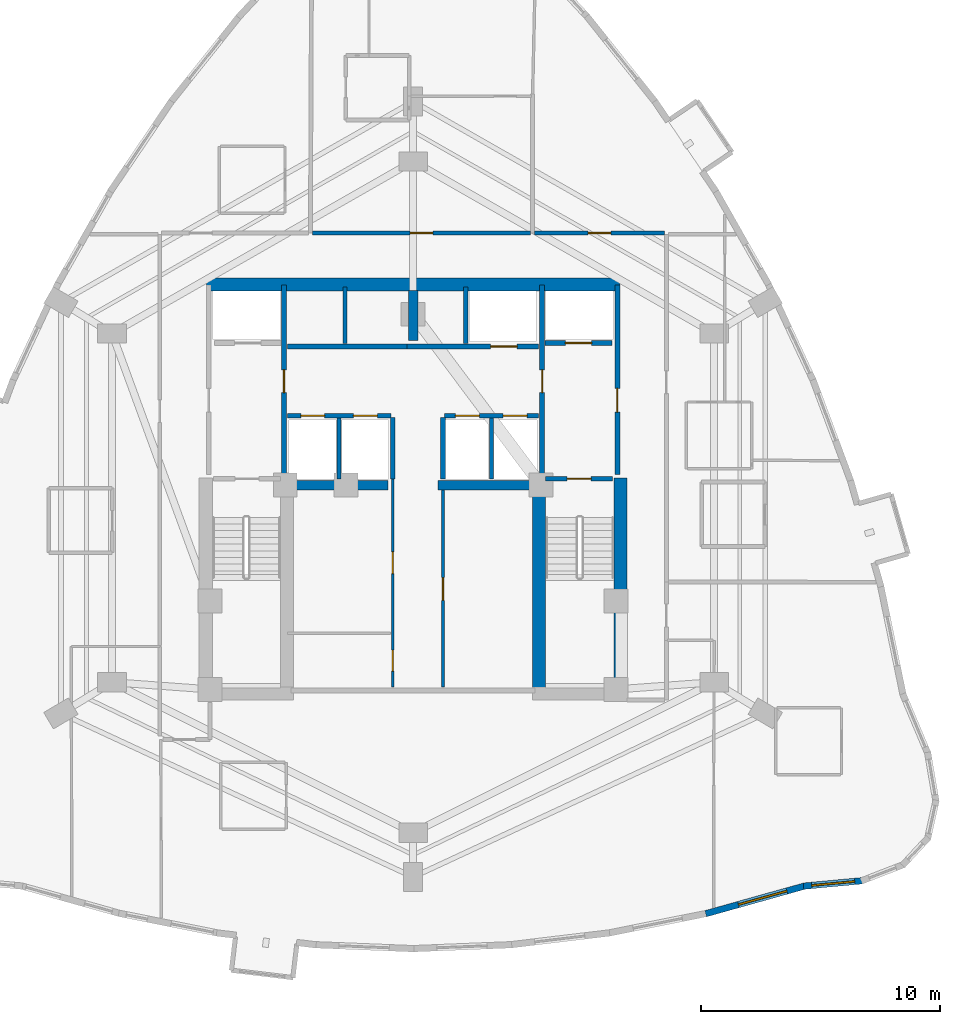
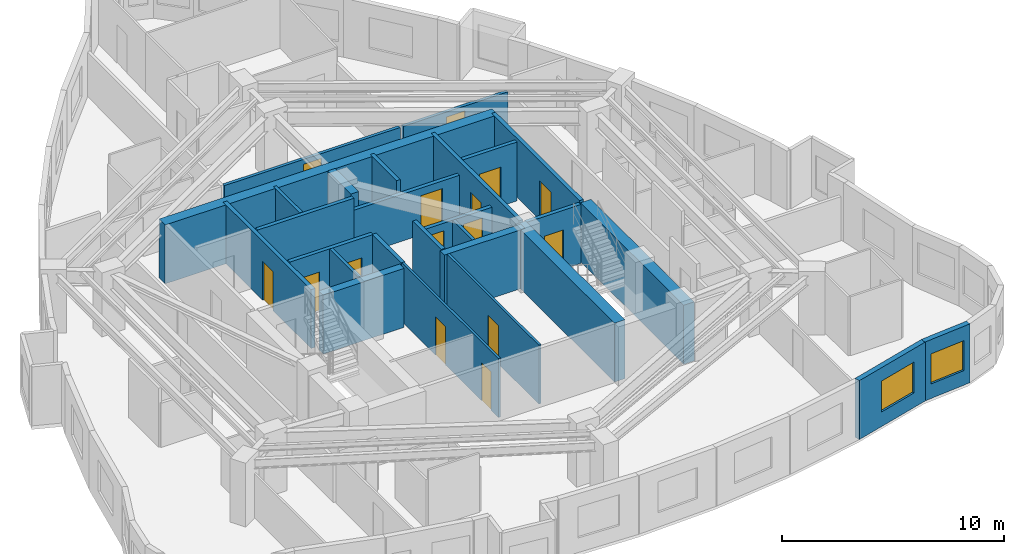
# One storey, part 6 of 10: 27 walls, 15 doors, 2 windows, 17 openings.
"""IFC4 building model written with IfcOpenShell, lengths in metres."""

from ifc_helpers import new_model, si_unit, direction, frame, frame_2d, origin, place, context, subcontext, project, spatial, rectangle, extrude, material, layer, layer_set, type_object, element, fill, save


model = new_model("IFC4")

# Units and contexts
model_context = context("Model", 3, precision=1e-05, world=origin(), true_north=direction((0.0, 1.0)))
body_context = subcontext(model_context, "Body", "Model", "MODEL_VIEW")
ifc_project = project(units=[si_unit("LENGTHUNIT", "METRE"), si_unit("AREAUNIT", "SQUARE_METRE"), si_unit("VOLUMEUNIT", "CUBIC_METRE"), si_unit("PLANEANGLEUNIT", "RADIAN"), si_unit("MASSUNIT", "GRAM", prefix="KILO")], contexts=[model_context])

# Site, building, storey
site_placement = place(None, origin())
site = spatial("IfcSite", under=ifc_project, at=site_placement, CompositionType="ELEMENT")
building_placement = place(site_placement, origin())
building = spatial("IfcBuilding", under=site, at=building_placement, Name="Miruveldt Soraemaru", CompositionType="ELEMENT")
storey_placement = place(building_placement, frame((0.0, 0.0, 124.89990234375)))
storey = spatial("IfcBuildingStorey", under=building, at=storey_placement, Name="L34", CompositionType="ELEMENT", Elevation=124.89990234375)

# Walls
ifc_material_1 = material(Name="Concrete C70/85 (70 MPa)", Category="concrete")
ifc_layer_1 = layer(ifc_material_1, 0.5, Name="Concrete C70/85 (70 MPa)", Category="concrete")
ifc_layer_set_1 = layer_set([ifc_layer_1], Name="Concrete C70/85 (70 MPa)")
wall_type_1 = type_object("IfcWallType", Name="WALL-BW-500", PredefinedType="SHEAR", material=ifc_layer_set_1)
wall_1_placement = place(storey_placement, frame((44.0, 50.10009765625, 0.0), z_axis=(0.0, 0.0, 1.0), x_axis=(0.0, 1.0, 0.0)))
element("IfcWall", 1, at=wall_1_placement, inside=storey, type_object=wall_type_1, Name="L34 Core Buttress Shear Wall BN", PredefinedType="SHEAR", context=body_context, shape_type="SweptSolid", body=[
    extrude(rectangle(XDim=2.099853515625, YDim=0.39990234375, at=frame_2d((1.0498046875, 0.0))), origin(), (0.0, 0.0, 1.0), 3.235107421875),
])
for number, where, z_axis, x_axis, name in (
    (2, (38.75, 44.050048828125, 0.0), (0.0, 0.0, 1.0), (1.0, 0.0, 0.0), "L34 Core Buttress Shear Wall BW"),
    (3, (45.050048828125, 44.050048828125, 0.0), (0.0, 0.0, 1.0), (1.0, 0.0, 0.0), "L34 Core Buttress Shear Wall BE"),
):
    element("IfcWall", number, at=place(storey_placement, frame(where, z_axis=z_axis, x_axis=x_axis)), inside=storey, type_object=wall_type_1, Name=name, PredefinedType="SHEAR", context=body_context, shape_type="SweptSolid", body=[
        extrude(rectangle(XDim=4.199951171875, YDim=0.39990234375, at=frame_2d((2.10009765625, 0.0))), origin(), (0.0, 0.0, 1.0), 3.235107421875),
    ])
ifc_layer_2 = layer(ifc_material_1, 0.550048828125, Name="Concrete C70/85 (70 MPa)", Category="concrete")
ifc_layer_set_2 = layer_set([ifc_layer_2], Name="Concrete C70/85 (70 MPa)")
wall_type_2 = type_object("IfcWallType", Name="WALL-CW-550", PredefinedType="SHEAR", material=ifc_layer_set_2)
wall_2_placement = place(storey_placement, frame((35.35009765625, 52.449951171875, 0.0), z_axis=(0.0, 0.0, 1.0), x_axis=(1.0, 0.0, 0.0)))
element("IfcWall", 4, at=wall_2_placement, inside=storey, type_object=wall_type_2, Name="L34 Central Core Shear Wall N", PredefinedType="SHEAR", context=body_context, shape_type="SweptSolid", body=[
    extrude(rectangle(XDim=17.2998046875, YDim=0.550048828125, at=frame_2d((8.64990234375, 0.0))), origin(), (0.0, 0.0, 1.0), 3.235107421875),
])
wall_3_placement = place(storey_placement, frame((52.675048828125, 35.050048828125, 0.0), z_axis=(0.0, 0.0, 1.0), x_axis=(0.0, 1.0, 0.0)))
element("IfcWall", 5, at=wall_3_placement, inside=storey, type_object=wall_type_2, Name="L34 Central Core Shear Wall E1", PredefinedType="SHEAR", context=body_context, shape_type="SweptSolid", body=[
    extrude(rectangle(XDim=9.300048828125, YDim=0.550048828125, at=frame_2d((4.64990234375, 0.0))), origin(), (0.0, 0.0, 1.0), 3.235107421875),
])
wall_4_placement = place(storey_placement, frame((49.27490234375, 35.39990234375, 0.0), z_axis=(0.0, 0.0, 1.0), x_axis=(0.0, 1.0, 0.0)))
element("IfcWall", 6, at=wall_4_placement, inside=storey, type_object=wall_type_2, Name="L34 Central Core Shear Wall SE-INT", PredefinedType="SHEAR", context=body_context, shape_type="SweptSolid", body=[
    extrude(rectangle(XDim=8.9501953125, YDim=0.550048828125, at=frame_2d((4.47509765625, 0.0))), origin(), (0.0, 0.0, 1.0), 3.235107421875),
])

# Wall, opening, window
ifc_material_2 = material(Name="Precast concrete C45/55 (45 MPa)", Category="concrete")
ifc_layer_3 = layer(ifc_material_2, 0.27001953125, Name="Precast concrete C45/55 (45 MPa)", Category="concrete")
ifc_layer_set_3 = layer_set([ifc_layer_3], Name="Precast concrete C45/55 (45 MPa)")
wall_type_3 = type_object("IfcWallType", Name="WALL-EXT-PC270", PredefinedType="SOLIDWALL", material=ifc_layer_set_3)
wall_5_placement = place(storey_placement, frame((56.248291015625, 26.11083984375, 0.0), z_axis=(0.0, 0.0, 1.0), x_axis=(0.96297692647, 0.269583825714, 0.0)))
wall_5 = element("IfcWall", 7, at=wall_5_placement, inside=storey, type_object=wall_type_3, Name="L34 Precast Concrete Facade Wall 28", PredefinedType="SOLIDWALL", context=body_context, shape_type="SweptSolid", body=[
    extrude(rectangle(XDim=4.321533203125, YDim=0.27001953125, at=frame_2d((2.16064453125, 0.0))), origin(), (0.0, 0.0, 1.0), 3.235107421875),
])
opening_1_placement = place(wall_5_placement, frame((1.423095703125, 0.0, 0.800048828125)))
opening_1 = element("IfcOpeningElement", 8, at=opening_1_placement, cuts=wall_5, Name="Opening WN-1", PredefinedType="OPENING", context=body_context, shape_type="SweptSolid", body=[
    extrude(rectangle(XDim=2.10009765625, YDim=1.699951171875, at=frame_2d((1.050048828125, 0.85009765625))), frame((0.0, 0.14501953125, 0.0), z_axis=(0.0, -1.0, 0.0), x_axis=(1.0, 0.0, 0.0)), (0.0, 0.0, 1.0), 0.2900390625),
])
ifc_material_3 = material(Name="Triple low-e insulated glazing", Category="glass")
window_type_1 = type_object("IfcWindowType", Name="WIN-PUNCH-2100x1700", PartitioningType="SINGLE_PANEL", PredefinedType="WINDOW", material=ifc_material_3)
window_1_placement = place(opening_1_placement, origin())
window_1 = element("IfcWindow", 9, at=window_1_placement, inside=storey, type_object=window_type_1, Name="L34 Punched Triple-Glazed Window 28.1", OverallHeight=1.699951171875, OverallWidth=2.10009765625, PartitioningType="SINGLE_PANEL", PredefinedType="WINDOW", context=body_context, shape_type="SweptSolid", body=[
    extrude(rectangle(XDim=2.10009765625, YDim=1.699951171875, at=frame_2d((1.050048828125, 0.85009765625))), frame((0.0, 0.030029296875, 0.0), z_axis=(0.0, -1.0, 0.0), x_axis=(1.0, 0.0, 0.0)), (0.0, 0.0, 1.0), 0.06005859375),
])
fill(opening_1, window_1)

wall_6_placement = place(storey_placement, frame((60.34130859375, 27.26318359375, 0.0), z_axis=(0.0, 0.0, 1.0), x_axis=(0.995755492047, 0.092038035932, 0.0)))
wall_6 = element("IfcWall", 10, at=wall_6_placement, inside=storey, type_object=wall_type_3, Name="L34 Precast Concrete Facade Wall 29", PredefinedType="SOLIDWALL", context=body_context, shape_type="SweptSolid", body=[
    extrude(rectangle(XDim=2.49072265625, YDim=0.27001953125, at=frame_2d((1.245361328125, 0.0))), origin(), (0.0, 0.0, 1.0), 3.235107421875),
])
opening_2_placement = place(wall_6_placement, frame((0.345947265625, 0.0, 0.800048828125)))
opening_2 = element("IfcOpeningElement", 11, at=opening_2_placement, cuts=wall_6, Name="Opening WN-2", PredefinedType="OPENING", context=body_context, shape_type="SweptSolid", body=[
    extrude(rectangle(XDim=1.800048828125, YDim=1.64990234375, at=frame_2d((0.89990234375, 0.824951171875))), frame((0.0, 0.14501953125, 0.0), z_axis=(0.0, -1.0, 0.0), x_axis=(1.0, 0.0, 0.0)), (0.0, 0.0, 1.0), 0.2900390625),
])
window_type_2 = type_object("IfcWindowType", Name="WIN-PUNCH-1800x1650", PartitioningType="SINGLE_PANEL", PredefinedType="WINDOW", material=ifc_material_3)
window_2_placement = place(opening_2_placement, origin())
window_2 = element("IfcWindow", 12, at=window_2_placement, inside=storey, type_object=window_type_2, Name="L34 Punched Triple-Glazed Window 29.1", OverallHeight=1.64990234375, OverallWidth=1.800048828125, PartitioningType="SINGLE_PANEL", PredefinedType="WINDOW", context=body_context, shape_type="SweptSolid", body=[
    extrude(rectangle(XDim=1.800048828125, YDim=1.64990234375, at=frame_2d((0.89990234375, 0.824951171875))), frame((0.0, 0.030029296875, 0.0), z_axis=(0.0, -1.0, 0.0), x_axis=(1.0, 0.0, 0.0)), (0.0, 0.0, 1.0), 0.06005859375),
])
fill(opening_2, window_2)

# Wall, openings, doors
ifc_material_4 = material(Name="Gypsum plasterboard lining", Category="gypsum")
ifc_layer_4 = layer(ifc_material_4, 0.1201171875, Name="Gypsum plasterboard lining", Category="gypsum")
ifc_layer_set_4 = layer_set([ifc_layer_4], Name="Gypsum plasterboard lining")
wall_type_4 = type_object("IfcWallType", Name="WALL-INT-P120", PredefinedType="PARTITIONING", material=ifc_layer_set_4)
wall_7_placement = place(storey_placement, frame((43.14990234375, 35.60009765625, 0.0), z_axis=(0.0, 0.0, 1.0), x_axis=(0.0, 1.0, 0.0)))
wall_7 = element("IfcWall", 13, at=wall_7_placement, inside=storey, type_object=wall_type_4, Name="L34 Core Compartment Wall SP-WL", PredefinedType="PARTITIONING", context=body_context, shape_type="SweptSolid", body=[
    extrude(rectangle(XDim=8.699951171875, YDim=0.1201171875, at=frame_2d((4.35009765625, 0.0))), origin(), (0.0, 0.0, 1.0), 3.235107421875),
])
opening_3_placement = place(wall_7_placement, frame((0.659912109375, 0.0, 0.0)))
opening_3 = element("IfcOpeningElement", 14, at=opening_3_placement, cuts=wall_7, Name="Opening D4", PredefinedType="OPENING", context=body_context, shape_type="SweptSolid", body=[
    extrude(rectangle(XDim=0.8798828125, YDim=2.10009765625, at=frame_2d((0.43994140625, 1.050048828125))), frame((0.0, 0.070068359375, 0.0), z_axis=(0.0, -1.0, 0.0), x_axis=(1.0, 0.0, 0.0)), (0.0, 0.0, 1.0), 0.14013671875),
])
opening_4_placement = place(wall_7_placement, frame((4.739990234375, 0.0, 0.0)))
opening_4 = element("IfcOpeningElement", 15, at=opening_4_placement, cuts=wall_7, Name="Opening D3A", PredefinedType="OPENING", context=body_context, shape_type="SweptSolid", body=[
    extrude(rectangle(XDim=0.919921875, YDim=2.10009765625, at=frame_2d((0.4599609375, 1.050048828125))), frame((0.0, 0.070068359375, 0.0), z_axis=(0.0, -1.0, 0.0), x_axis=(1.0, 0.0, 0.0)), (0.0, 0.0, 1.0), 0.14013671875),
])
ifc_material_5 = material(Name="Anodised aluminium EN AW-6063 T6", Category="aluminium")
door_type_1 = type_object("IfcDoorType", Name="DOOR-INT-880", OperationType="NOTDEFINED", PredefinedType="DOOR", material=ifc_material_5)
door_1_placement = place(opening_3_placement, origin())
door_1 = element("IfcDoor", 16, at=door_1_placement, inside=storey, type_object=door_type_1, Name="L34 Fire Door", OperationType="SINGLE_SWING_LEFT", OverallHeight=2.10009765625, OverallWidth=0.8798828125, PredefinedType="DOOR", context=body_context, shape_type="SweptSolid", body=[
    extrude(rectangle(XDim=0.8798828125, YDim=2.10009765625, at=frame_2d((0.43994140625, 1.050048828125))), frame((0.0, 0.02490234375, 0.0), z_axis=(0.0, -1.0, 0.0), x_axis=(1.0, 0.0, 0.0)), (0.0, 0.0, 1.0), 0.050048828125),
])
fill(opening_3, door_1)
door_type_2 = type_object("IfcDoorType", Name="DOOR-INT-920", OperationType="NOTDEFINED", PredefinedType="DOOR", material=ifc_material_5)
door_2_placement = place(opening_4_placement, origin())
door_2 = element("IfcDoor", 17, at=door_2_placement, inside=storey, type_object=door_type_2, Name="L34 Fire Door", OperationType="SINGLE_SWING_LEFT", OverallHeight=2.10009765625, OverallWidth=0.919921875, PredefinedType="DOOR", context=body_context, shape_type="SweptSolid", body=[
    extrude(rectangle(XDim=0.919921875, YDim=2.10009765625, at=frame_2d((0.4599609375, 1.050048828125))), frame((0.0, 0.02490234375, 0.0), z_axis=(0.0, -1.0, 0.0), x_axis=(1.0, 0.0, 0.0)), (0.0, 0.0, 1.0), 0.050048828125),
])
fill(opening_4, door_2)

# Wall, opening, door
wall_8_placement = place(storey_placement, frame((45.25, 35.60009765625, 0.0), z_axis=(0.0, 0.0, 1.0), x_axis=(0.0, 1.0, 0.0)))
wall_8 = element("IfcWall", 18, at=wall_8_placement, inside=storey, type_object=wall_type_4, Name="L34 Core Compartment Wall SP-EL", PredefinedType="PARTITIONING", context=body_context, shape_type="SweptSolid", body=[
    extrude(rectangle(XDim=8.25, YDim=0.1201171875, at=frame_2d((4.125, 0.0))), origin(), (0.0, 0.0, 1.0), 3.235107421875),
])
opening_5_placement = place(wall_8_placement, frame((3.625, 0.0, 0.0)))
opening_5 = element("IfcOpeningElement", 19, at=opening_5_placement, cuts=wall_8, Name="Opening D2", PredefinedType="OPENING", context=body_context, shape_type="SweptSolid", body=[
    extrude(rectangle(XDim=0.949951171875, YDim=2.10009765625, at=frame_2d((0.47509765625, 1.050048828125))), frame((0.0, 0.070068359375, 0.0), z_axis=(0.0, -1.0, 0.0), x_axis=(1.0, 0.0, 0.0)), (0.0, 0.0, 1.0), 0.14013671875),
])
door_type_3 = type_object("IfcDoorType", Name="DOOR-INT-950", OperationType="NOTDEFINED", PredefinedType="DOOR", material=ifc_material_5)
door_3_placement = place(opening_5_placement, origin())
door_3 = element("IfcDoor", 20, at=door_3_placement, inside=storey, type_object=door_type_3, Name="L34 Fire Door", OperationType="SINGLE_SWING_LEFT", OverallHeight=2.10009765625, OverallWidth=0.949951171875, PredefinedType="DOOR", context=body_context, shape_type="SweptSolid", body=[
    extrude(rectangle(XDim=0.949951171875, YDim=2.10009765625, at=frame_2d((0.47509765625, 1.050048828125))), frame((0.0, 0.02490234375, 0.0), z_axis=(0.0, -1.0, 0.0), x_axis=(1.0, 0.0, 0.0)), (0.0, 0.0, 1.0), 0.050048828125),
])
fill(opening_5, door_3)

ifc_material_6 = material(Name="Concrete C40/50 (40 MPa)", Category="concrete")
ifc_layer_5 = layer(ifc_material_6, 0.159912109375, Name="Concrete C40/50 (40 MPa)", Category="concrete")
ifc_layer_set_5 = layer_set([ifc_layer_5], Name="Concrete C40/50 (40 MPa)")
wall_type_5 = type_object("IfcWallType", Name="WALL-INT-RC160", PredefinedType="SOLIDWALL", material=ifc_layer_set_5)
wall_9_placement = place(storey_placement, frame((48.9169921875, 54.60009765625, 0.0), z_axis=(0.0, 0.0, 1.0), x_axis=(-1.0, 0.0, 0.0)))
wall_9 = element("IfcWall", 21, at=wall_9_placement, inside=storey, type_object=wall_type_5, Name="L34 Partition Wall 2", PredefinedType="SOLIDWALL", context=body_context, shape_type="SweptSolid", body=[
    extrude(rectangle(XDim=9.131103515625, YDim=0.159912109375, at=frame_2d((4.5654296875, 0.0))), origin(), (0.0, 0.0, 1.0), 2.423095703125),
])
opening_6_placement = place(wall_9_placement, frame((4.091064453125, 0.0, 0.0)))
opening_6 = element("IfcOpeningElement", 22, at=opening_6_placement, cuts=wall_9, Name="Opening FD2", PredefinedType="OPENING", context=body_context, shape_type="SweptSolid", body=[
    extrude(rectangle(XDim=0.949951171875, YDim=2.14990234375, at=frame_2d((0.47509765625, 1.074951171875))), frame((0.0, 0.08984375, 0.0), z_axis=(0.0, -1.0, 0.0), x_axis=(1.0, 0.0, 0.0)), (0.0, 0.0, 1.0), 0.179931640625),
])
door_type_4 = type_object("IfcDoorType", Name="DOOR-FD2-950", OperationType="NOTDEFINED", PredefinedType="DOOR", material=ifc_material_5)
door_4_placement = place(opening_6_placement, origin())
door_4 = element("IfcDoor", 23, at=door_4_placement, inside=storey, type_object=door_type_4, Name="L34 Unit 3402 Entrance Fire Door", OperationType="SINGLE_SWING_RIGHT", OverallHeight=2.14990234375, OverallWidth=0.949951171875, PredefinedType="DOOR", context=body_context, shape_type="SweptSolid", body=[
    extrude(rectangle(XDim=0.949951171875, YDim=2.14990234375, at=frame_2d((0.47509765625, 1.074951171875))), frame((0.0, 0.02490234375, 0.0), z_axis=(0.0, -1.0, 0.0), x_axis=(1.0, 0.0, 0.0)), (0.0, 0.0, 1.0), 0.050048828125),
])
fill(opening_6, door_4)

wall_10_placement = place(storey_placement, frame((54.52001953125, 54.60009765625, 0.0), z_axis=(0.0, 0.0, 1.0), x_axis=(-1.0, 0.0, 0.0)))
wall_10 = element("IfcWall", 24, at=wall_10_placement, inside=storey, type_object=wall_type_5, Name="L34 Partition Wall 3", PredefinedType="SOLIDWALL", context=body_context, shape_type="SweptSolid", body=[
    extrude(rectangle(XDim=5.43994140625, YDim=0.159912109375, at=frame_2d((2.719970703125, 0.0))), origin(), (0.0, 0.0, 1.0), 2.423095703125),
])
opening_7_placement = place(wall_10_placement, frame((2.2451171875, 0.0, 0.0)))
opening_7 = element("IfcOpeningElement", 25, at=opening_7_placement, cuts=wall_10, Name="Opening FD2", PredefinedType="OPENING", context=body_context, shape_type="SweptSolid", body=[
    extrude(rectangle(XDim=0.949951171875, YDim=2.14990234375, at=frame_2d((0.47509765625, 1.074951171875))), frame((0.0, 0.08984375, 0.0), z_axis=(0.0, -1.0, 0.0), x_axis=(1.0, 0.0, 0.0)), (0.0, 0.0, 1.0), 0.179931640625),
])
door_5_placement = place(opening_7_placement, origin())
door_5 = element("IfcDoor", 26, at=door_5_placement, inside=storey, type_object=door_type_4, Name="L34 Unit CL03 Entrance Fire Door", OperationType="SINGLE_SWING_RIGHT", OverallHeight=2.14990234375, OverallWidth=0.949951171875, PredefinedType="DOOR", context=body_context, shape_type="SweptSolid", body=[
    extrude(rectangle(XDim=0.949951171875, YDim=2.14990234375, at=frame_2d((0.47509765625, 1.074951171875))), frame((0.0, 0.02490234375, 0.0), z_axis=(0.0, -1.0, 0.0), x_axis=(1.0, 0.0, 0.0)), (0.0, 0.0, 1.0), 0.050048828125),
])
fill(opening_7, door_5)

# Walls
wall_11_placement = place(storey_placement, frame((40.89990234375, 44.300048828125, 0.0), z_axis=(0.0, 0.0, 1.0), x_axis=(0.0, 1.0, 0.0)))
element("IfcWall", 27, at=wall_11_placement, inside=storey, type_object=wall_type_5, Name="L34 Core Compartment Wall PLM-DW", PredefinedType="SOLIDWALL", context=body_context, shape_type="SweptSolid", body=[
    extrude(rectangle(XDim=2.550048828125, YDim=0.159912109375, at=frame_2d((1.27490234375, 0.0))), origin(), (0.0, 0.0, 1.0), 3.235107421875),
])
wall_12_placement = place(storey_placement, frame((47.280029296875, 44.300048828125, 0.0), z_axis=(0.0, 0.0, 1.0), x_axis=(0.0, 1.0, 0.0)))
element("IfcWall", 28, at=wall_12_placement, inside=storey, type_object=wall_type_5, Name="L34 Core Compartment Wall PLM-DE", PredefinedType="SOLIDWALL", context=body_context, shape_type="SweptSolid", body=[
    extrude(rectangle(XDim=2.550048828125, YDim=0.159912109375, at=frame_2d((1.27490234375, 0.0))), origin(), (0.0, 0.0, 1.0), 2.572998046875),
])
wall_13_placement = place(storey_placement, frame((41.14990234375, 49.97998046875, 0.0), z_axis=(0.0, 0.0, 1.0), x_axis=(0.0, 1.0, 0.0)))
element("IfcWall", 29, at=wall_13_placement, inside=storey, type_object=wall_type_5, Name="L34 Core Compartment Wall PLH-DIV1", PredefinedType="SOLIDWALL", context=body_context, shape_type="SweptSolid", body=[
    extrude(rectangle(XDim=2.3701171875, YDim=0.159912109375, at=frame_2d((1.18505859375, 0.0))), origin(), (0.0, 0.0, 1.0), 3.235107421875),
])

# Wall, opening, door
ifc_layer_6 = layer(ifc_material_6, 0.199951171875, Name="Concrete C40/50 (40 MPa)", Category="concrete")
ifc_layer_set_6 = layer_set([ifc_layer_6], Name="Concrete C40/50 (40 MPa)")
wall_type_6 = type_object("IfcWallType", Name="WALL-INT-RC200", PredefinedType="SOLIDWALL", material=ifc_layer_set_6)
wall_14_placement = place(storey_placement, frame((52.550048828125, 44.5, 0.0), z_axis=(0.0, 0.0, 1.0), x_axis=(0.0, 1.0, 0.0)))
wall_14 = element("IfcWall", 30, at=wall_14_placement, inside=storey, type_object=wall_type_6, Name="L34 Core Compartment Wall FFE-OUT", PredefinedType="SOLIDWALL", context=body_context, shape_type="SweptSolid", body=[
    extrude(rectangle(XDim=7.919921875, YDim=0.199951171875, at=frame_2d((3.9599609375, 0.0))), origin(), (0.0, 0.0, 1.0), 3.235107421875),
])
opening_8_placement = place(wall_14_placement, frame((2.60009765625, 0.0, 0.0)))
opening_8 = element("IfcOpeningElement", 31, at=opening_8_placement, cuts=wall_14, Name="Opening FD1", PredefinedType="OPENING", context=body_context, shape_type="SweptSolid", body=[
    extrude(rectangle(XDim=1.0, YDim=2.14990234375, at=frame_2d((0.5, 1.074951171875))), frame((0.0, 0.10986328125, 0.0), z_axis=(0.0, -1.0, 0.0), x_axis=(1.0, 0.0, 0.0)), (0.0, 0.0, 1.0), 0.219970703125),
])
door_type_5 = type_object("IfcDoorType", Name="DOOR-FD1-1000", OperationType="NOTDEFINED", PredefinedType="DOOR", material=ifc_material_5)
door_6_placement = place(opening_8_placement, frame((1.0, 0.0, 0.0), z_axis=(0.0, 0.0, 1.0), x_axis=(-1.0, 0.0, 0.0)))
door_6 = element("IfcDoor", 32, at=door_6_placement, inside=storey, type_object=door_type_5, Name="L34 East Firefighting Lobby Exit Door", OperationType="SINGLE_SWING_RIGHT", OverallHeight=2.14990234375, OverallWidth=1.0, PredefinedType="DOOR", context=body_context, shape_type="SweptSolid", body=[
    extrude(rectangle(XDim=1.0, YDim=2.14990234375, at=frame_2d((0.5, 1.074951171875))), frame((0.0, 0.02490234375, 0.0), z_axis=(0.0, -1.0, 0.0), x_axis=(1.0, 0.0, 0.0)), (0.0, 0.0, 1.0), 0.050048828125),
])
fill(opening_8, door_6)

wall_15_placement = place(storey_placement, frame((38.60009765625, 44.5, 0.0), z_axis=(0.0, 0.0, 1.0), x_axis=(0.0, 1.0, 0.0)))
wall_15 = element("IfcWall", 33, at=wall_15_placement, inside=storey, type_object=wall_type_6, Name="L34 Core Compartment Wall FFW-IN", PredefinedType="SOLIDWALL", context=body_context, shape_type="SweptSolid", body=[
    extrude(rectangle(XDim=7.919921875, YDim=0.199951171875, at=frame_2d((3.9599609375, 0.0))), origin(), (0.0, 0.0, 1.0), 3.235107421875),
])
opening_9_placement = place(wall_15_placement, frame((3.425048828125, 0.0, 0.0)))
opening_9 = element("IfcOpeningElement", 34, at=opening_9_placement, cuts=wall_15, Name="Opening FD2", PredefinedType="OPENING", context=body_context, shape_type="SweptSolid", body=[
    extrude(rectangle(XDim=0.949951171875, YDim=2.14990234375, at=frame_2d((0.47509765625, 1.074951171875))), frame((0.0, 0.10986328125, 0.0), z_axis=(0.0, -1.0, 0.0), x_axis=(1.0, 0.0, 0.0)), (0.0, 0.0, 1.0), 0.219970703125),
])
door_7_placement = place(opening_9_placement, frame((0.949951171875, 0.0, 0.0), z_axis=(0.0, 0.0, 1.0), x_axis=(-1.0, 0.0, 0.0)))
door_7 = element("IfcDoor", 35, at=door_7_placement, inside=storey, type_object=door_type_4, Name="L34 Lift Lobby to West Fire Lobby Door", OperationType="SINGLE_SWING_RIGHT", OverallHeight=2.14990234375, OverallWidth=0.949951171875, PredefinedType="DOOR", context=body_context, shape_type="SweptSolid", body=[
    extrude(rectangle(XDim=0.949951171875, YDim=2.14990234375, at=frame_2d((0.47509765625, 1.074951171875))), frame((0.0, 0.02490234375, 0.0), z_axis=(0.0, -1.0, 0.0), x_axis=(1.0, 0.0, 0.0)), (0.0, 0.0, 1.0), 0.050048828125),
])
fill(opening_9, door_7)

wall_16_placement = place(storey_placement, frame((49.39990234375, 44.5, 0.0), z_axis=(0.0, 0.0, 1.0), x_axis=(0.0, 1.0, 0.0)))
wall_16 = element("IfcWall", 36, at=wall_16_placement, inside=storey, type_object=wall_type_6, Name="L34 Core Compartment Wall FFE-IN", PredefinedType="SOLIDWALL", context=body_context, shape_type="SweptSolid", body=[
    extrude(rectangle(XDim=7.919921875, YDim=0.199951171875, at=frame_2d((3.9599609375, 0.0))), origin(), (0.0, 0.0, 1.0), 3.235107421875),
])
opening_10_placement = place(wall_16_placement, frame((3.425048828125, 0.0, 0.0)))
opening_10 = element("IfcOpeningElement", 37, at=opening_10_placement, cuts=wall_16, Name="Opening FD2", PredefinedType="OPENING", context=body_context, shape_type="SweptSolid", body=[
    extrude(rectangle(XDim=0.949951171875, YDim=2.14990234375, at=frame_2d((0.47509765625, 1.074951171875))), frame((0.0, 0.10986328125, 0.0), z_axis=(0.0, -1.0, 0.0), x_axis=(1.0, 0.0, 0.0)), (0.0, 0.0, 1.0), 0.219970703125),
])
door_8_placement = place(opening_10_placement, origin())
door_8 = element("IfcDoor", 38, at=door_8_placement, inside=storey, type_object=door_type_4, Name="L34 Lift Lobby to East Fire Lobby Door", OperationType="SINGLE_SWING_LEFT", OverallHeight=2.14990234375, OverallWidth=0.949951171875, PredefinedType="DOOR", context=body_context, shape_type="SweptSolid", body=[
    extrude(rectangle(XDim=0.949951171875, YDim=2.14990234375, at=frame_2d((0.47509765625, 1.074951171875))), frame((0.0, 0.02490234375, 0.0), z_axis=(0.0, -1.0, 0.0), x_axis=(1.0, 0.0, 0.0)), (0.0, 0.0, 1.0), 0.050048828125),
])
fill(opening_10, door_8)

wall_17_placement = place(storey_placement, frame((43.75, 49.85009765625, 0.0), z_axis=(0.0, 0.0, 1.0), x_axis=(1.0, 0.0, 0.0)))
wall_17 = element("IfcWall", 39, at=wall_17_placement, inside=storey, type_object=wall_type_6, Name="L34 Core Compartment Wall ROWA-SE", PredefinedType="SOLIDWALL", context=body_context, shape_type="SweptSolid", body=[
    extrude(rectangle(XDim=5.5, YDim=0.199951171875, at=frame_2d((2.75, 0.0))), origin(), (0.0, 0.0, 1.0), 2.572998046875),
])
opening_11_placement = place(wall_17_placement, frame((3.5, 0.0, 0.0)))
opening_11 = element("IfcOpeningElement", 40, at=opening_11_placement, cuts=wall_17, Name="Opening LD2", PredefinedType="OPENING", context=body_context, shape_type="SweptSolid", body=[
    extrude(rectangle(XDim=1.10009765625, YDim=2.14990234375, at=frame_2d((0.550048828125, 1.074951171875))), frame((0.0, 0.10986328125, 0.0), z_axis=(0.0, -1.0, 0.0), x_axis=(1.0, 0.0, 0.0)), (0.0, 0.0, 1.0), 0.219970703125),
])
door_type_6 = type_object("IfcDoorType", Name="DOOR-LD2-1100", OperationType="SLIDING_TO_LEFT", PredefinedType="DOOR", material=ifc_material_5)
door_9_placement = place(opening_11_placement, origin())
door_9 = element("IfcDoor", 41, at=door_9_placement, inside=storey, type_object=door_type_6, Name="L34 SL-1 Landing Door", OperationType="SLIDING_TO_LEFT", OverallHeight=2.14990234375, OverallWidth=1.10009765625, PredefinedType="DOOR", context=body_context, shape_type="SweptSolid", body=[
    extrude(rectangle(XDim=1.10009765625, YDim=2.14990234375, at=frame_2d((0.550048828125, 1.074951171875))), frame((0.0, 0.02490234375, 0.0), z_axis=(0.0, -1.0, 0.0), x_axis=(1.0, 0.0, 0.0)), (0.0, 0.0, 1.0), 0.050048828125),
])
fill(opening_11, door_9)

# Wall, openings, doors
wall_18_placement = place(storey_placement, frame((38.75, 46.949951171875, 0.0), z_axis=(0.0, 0.0, 1.0), x_axis=(1.0, 0.0, 0.0)))
wall_18 = element("IfcWall", 42, at=wall_18_placement, inside=storey, type_object=wall_type_6, Name="L34 Core Compartment Wall MBW-N", PredefinedType="SOLIDWALL", context=body_context, shape_type="SweptSolid", body=[
    extrude(rectangle(XDim=4.330078125, YDim=0.199951171875, at=frame_2d((2.1650390625, 0.0))), origin(), (0.0, 0.0, 1.0), 3.235107421875),
])
opening_12_placement = place(wall_18_placement, frame((0.550048828125, 0.0, 0.0)))
opening_12 = element("IfcOpeningElement", 43, at=opening_12_placement, cuts=wall_18, Name="Opening LD1B", PredefinedType="OPENING", context=body_context, shape_type="SweptSolid", body=[
    extrude(rectangle(XDim=1.0, YDim=2.14990234375, at=frame_2d((0.5, 1.074951171875))), frame((0.0, 0.10986328125, 0.0), z_axis=(0.0, -1.0, 0.0), x_axis=(1.0, 0.0, 0.0)), (0.0, 0.0, 1.0), 0.219970703125),
])
opening_13_placement = place(wall_18_placement, frame((2.75, 0.0, 0.0)))
opening_13 = element("IfcOpeningElement", 44, at=opening_13_placement, cuts=wall_18, Name="Opening LD1B", PredefinedType="OPENING", context=body_context, shape_type="SweptSolid", body=[
    extrude(rectangle(XDim=1.0, YDim=2.14990234375, at=frame_2d((0.5, 1.074951171875))), frame((0.0, 0.10986328125, 0.0), z_axis=(0.0, -1.0, 0.0), x_axis=(1.0, 0.0, 0.0)), (0.0, 0.0, 1.0), 0.219970703125),
])
door_type_7 = type_object("IfcDoorType", Name="DOOR-LD1-1000", OperationType="SLIDING_TO_LEFT", PredefinedType="DOOR", material=ifc_material_5)
door_10_placement = place(opening_12_placement, origin())
door_10 = element("IfcDoor", 45, at=door_10_placement, inside=storey, type_object=door_type_7, Name="L34 PL-M1 Landing Door", OperationType="SLIDING_TO_LEFT", OverallHeight=2.14990234375, OverallWidth=1.0, PredefinedType="DOOR", context=body_context, shape_type="SweptSolid", body=[
    extrude(rectangle(XDim=1.0, YDim=2.14990234375, at=frame_2d((0.5, 1.074951171875))), frame((0.0, 0.02490234375, 0.0), z_axis=(0.0, -1.0, 0.0), x_axis=(1.0, 0.0, 0.0)), (0.0, 0.0, 1.0), 0.050048828125),
])
fill(opening_12, door_10)
door_11_placement = place(opening_13_placement, origin())
door_11 = element("IfcDoor", 46, at=door_11_placement, inside=storey, type_object=door_type_7, Name="L34 PL-M2 Landing Door", OperationType="SLIDING_TO_LEFT", OverallHeight=2.14990234375, OverallWidth=1.0, PredefinedType="DOOR", context=body_context, shape_type="SweptSolid", body=[
    extrude(rectangle(XDim=1.0, YDim=2.14990234375, at=frame_2d((0.5, 1.074951171875))), frame((0.0, 0.02490234375, 0.0), z_axis=(0.0, -1.0, 0.0), x_axis=(1.0, 0.0, 0.0)), (0.0, 0.0, 1.0), 0.050048828125),
])
fill(opening_13, door_11)

wall_19_placement = place(storey_placement, frame((45.320068359375, 46.949951171875, 0.0), z_axis=(0.0, 0.0, 1.0), x_axis=(1.0, 0.0, 0.0)))
wall_19 = element("IfcWall", 47, at=wall_19_placement, inside=storey, type_object=wall_type_6, Name="L34 Core Compartment Wall MBE-N", PredefinedType="SOLIDWALL", context=body_context, shape_type="SweptSolid", body=[
    extrude(rectangle(XDim=3.929931640625, YDim=0.199951171875, at=frame_2d((1.96484375, 0.0))), origin(), (0.0, 0.0, 1.0), 2.572998046875),
])
opening_14_placement = place(wall_19_placement, frame((0.449951171875, 0.0, 0.0)))
opening_14 = element("IfcOpeningElement", 48, at=opening_14_placement, cuts=wall_19, Name="Opening LD1B", PredefinedType="OPENING", context=body_context, shape_type="SweptSolid", body=[
    extrude(rectangle(XDim=1.0, YDim=2.14990234375, at=frame_2d((0.5, 1.074951171875))), frame((0.0, 0.10986328125, 0.0), z_axis=(0.0, -1.0, 0.0), x_axis=(1.0, 0.0, 0.0)), (0.0, 0.0, 1.0), 0.219970703125),
])
opening_15_placement = place(wall_19_placement, frame((2.449951171875, 0.0, 0.0)))
opening_15 = element("IfcOpeningElement", 49, at=opening_15_placement, cuts=wall_19, Name="Opening LD1B", PredefinedType="OPENING", context=body_context, shape_type="SweptSolid", body=[
    extrude(rectangle(XDim=1.0, YDim=2.14990234375, at=frame_2d((0.5, 1.074951171875))), frame((0.0, 0.10986328125, 0.0), z_axis=(0.0, -1.0, 0.0), x_axis=(1.0, 0.0, 0.0)), (0.0, 0.0, 1.0), 0.219970703125),
])
door_12_placement = place(opening_14_placement, origin())
door_12 = element("IfcDoor", 50, at=door_12_placement, inside=storey, type_object=door_type_7, Name="L34 PL-M3 Landing Door", OperationType="SLIDING_TO_LEFT", OverallHeight=2.14990234375, OverallWidth=1.0, PredefinedType="DOOR", context=body_context, shape_type="SweptSolid", body=[
    extrude(rectangle(XDim=1.0, YDim=2.14990234375, at=frame_2d((0.5, 1.074951171875))), frame((0.0, 0.02490234375, 0.0), z_axis=(0.0, -1.0, 0.0), x_axis=(1.0, 0.0, 0.0)), (0.0, 0.0, 1.0), 0.050048828125),
])
fill(opening_14, door_12)
door_13_placement = place(opening_15_placement, origin())
door_13 = element("IfcDoor", 51, at=door_13_placement, inside=storey, type_object=door_type_7, Name="L34 PL-M4 Landing Door", OperationType="SLIDING_TO_LEFT", OverallHeight=2.14990234375, OverallWidth=1.0, PredefinedType="DOOR", context=body_context, shape_type="SweptSolid", body=[
    extrude(rectangle(XDim=1.0, YDim=2.14990234375, at=frame_2d((0.5, 1.074951171875))), frame((0.0, 0.02490234375, 0.0), z_axis=(0.0, -1.0, 0.0), x_axis=(1.0, 0.0, 0.0)), (0.0, 0.0, 1.0), 0.050048828125),
])
fill(opening_15, door_13)

# Wall, opening, door
wall_20_placement = place(storey_placement, frame((49.550048828125, 44.320068359375, 0.0), z_axis=(0.0, 0.0, 1.0), x_axis=(1.0, 0.0, 0.0)))
wall_20 = element("IfcWall", 52, at=wall_20_placement, inside=storey, type_object=wall_type_6, Name="L34 Core Compartment Wall ST2-N", PredefinedType="SOLIDWALL", context=body_context, shape_type="SweptSolid", body=[
    extrude(rectangle(XDim=2.800048828125, YDim=0.199951171875, at=frame_2d((1.39990234375, 0.0))), origin(), (0.0, 0.0, 1.0), 3.235107421875),
])
opening_16_placement = place(wall_20_placement, frame((0.89990234375, 0.0, 0.0)))
opening_16 = element("IfcOpeningElement", 53, at=opening_16_placement, cuts=wall_20, Name="Opening FD1", PredefinedType="OPENING", context=body_context, shape_type="SweptSolid", body=[
    extrude(rectangle(XDim=1.0, YDim=2.14990234375, at=frame_2d((0.5, 1.074951171875))), frame((0.0, 0.10986328125, 0.0), z_axis=(0.0, -1.0, 0.0), x_axis=(1.0, 0.0, 0.0)), (0.0, 0.0, 1.0), 0.219970703125),
])
door_14_placement = place(opening_16_placement, frame((1.0, 0.0, 0.0), z_axis=(0.0, 0.0, 1.0), x_axis=(-1.0, 0.0, 0.0)))
door_14 = element("IfcDoor", 54, at=door_14_placement, inside=storey, type_object=door_type_5, Name="L34 Stair ST-2 Fire Door", OperationType="SINGLE_SWING_RIGHT", OverallHeight=2.14990234375, OverallWidth=1.0, PredefinedType="DOOR", context=body_context, shape_type="SweptSolid", body=[
    extrude(rectangle(XDim=1.0, YDim=2.14990234375, at=frame_2d((0.5, 1.074951171875))), frame((0.0, 0.02490234375, 0.0), z_axis=(0.0, -1.0, 0.0), x_axis=(1.0, 0.0, 0.0)), (0.0, 0.0, 1.0), 0.050048828125),
])
fill(opening_16, door_14)

wall_21_placement = place(storey_placement, frame((49.52001953125, 50.0, 0.0), z_axis=(0.0, 0.0, 1.0), x_axis=(1.0, 0.0, 0.0)))
wall_21 = element("IfcWall", 55, at=wall_21_placement, inside=storey, type_object=wall_type_6, Name="L34 Core Compartment Wall FFL2-S", PredefinedType="SOLIDWALL", context=body_context, shape_type="SweptSolid", body=[
    extrude(rectangle(XDim=2.800048828125, YDim=0.199951171875, at=frame_2d((1.39990234375, 0.0))), origin(), (0.0, 0.0, 1.0), 3.235107421875),
])
opening_17_placement = place(wall_21_placement, frame((0.85009765625, 0.0, 0.0)))
opening_17 = element("IfcOpeningElement", 56, at=opening_17_placement, cuts=wall_21, Name="Opening LD2", PredefinedType="OPENING", context=body_context, shape_type="SweptSolid", body=[
    extrude(rectangle(XDim=1.10009765625, YDim=2.14990234375, at=frame_2d((0.550048828125, 1.074951171875))), frame((0.0, 0.10986328125, 0.0), z_axis=(0.0, -1.0, 0.0), x_axis=(1.0, 0.0, 0.0)), (0.0, 0.0, 1.0), 0.219970703125),
])
door_15_placement = place(opening_17_placement, origin())
door_15 = element("IfcDoor", 57, at=door_15_placement, inside=storey, type_object=door_type_6, Name="L34 FFL-2 Landing Door", OperationType="SLIDING_TO_LEFT", OverallHeight=2.14990234375, OverallWidth=1.10009765625, PredefinedType="DOOR", context=body_context, shape_type="SweptSolid", body=[
    extrude(rectangle(XDim=1.10009765625, YDim=2.14990234375, at=frame_2d((0.550048828125, 1.074951171875))), frame((0.0, 0.02490234375, 0.0), z_axis=(0.0, -1.0, 0.0), x_axis=(1.0, 0.0, 0.0)), (0.0, 0.0, 1.0), 0.050048828125),
])
fill(opening_17, door_15)

# Walls
wall_22_placement = place(storey_placement, frame((38.75, 49.85009765625, 0.0), z_axis=(0.0, 0.0, 1.0), x_axis=(1.0, 0.0, 0.0)))
element("IfcWall", 58, at=wall_22_placement, inside=storey, type_object=wall_type_6, Name="L34 Core Compartment Wall ROWA-SW", PredefinedType="SOLIDWALL", context=body_context, shape_type="SweptSolid", body=[
    extrude(rectangle(XDim=5.0, YDim=0.199951171875, at=frame_2d((2.5, 0.0))), origin(), (0.0, 0.0, 1.0), 3.235107421875),
])
for number, where, z_axis, x_axis, name in (
    (59, (43.14990234375, 44.300048828125, 0.0), (0.0, 0.0, 1.0), (0.0, 1.0, 0.0), "L34 Core Compartment Wall SP-WB"),
    (60, (45.25, 44.300048828125, 0.0), (0.0, 0.0, 1.0), (0.0, 1.0, 0.0), "L34 Core Compartment Wall SP-EB"),
):
    element("IfcWall", number, at=place(storey_placement, frame(where, z_axis=z_axis, x_axis=x_axis)), inside=storey, type_object=wall_type_6, Name=name, PredefinedType="SOLIDWALL", context=body_context, shape_type="SweptSolid", body=[
        extrude(rectangle(XDim=2.579833984375, YDim=0.199951171875, at=frame_2d((1.2900390625, 0.0))), origin(), (0.0, 0.0, 1.0), 3.235107421875),
    ])
wall_23_placement = place(storey_placement, frame((46.199951171875, 49.97998046875, 0.0), z_axis=(0.0, 0.0, 1.0), x_axis=(0.0, 1.0, 0.0)))
element("IfcWall", 61, at=wall_23_placement, inside=storey, type_object=wall_type_6, Name="L34 Core Compartment Wall PLH-SL-DIV", PredefinedType="SOLIDWALL", context=body_context, shape_type="SweptSolid", body=[
    extrude(rectangle(XDim=2.3701171875, YDim=0.199951171875, at=frame_2d((1.18505859375, 0.0))), origin(), (0.0, 0.0, 1.0), 3.235107421875),
])

save(model, "model.ifc")
